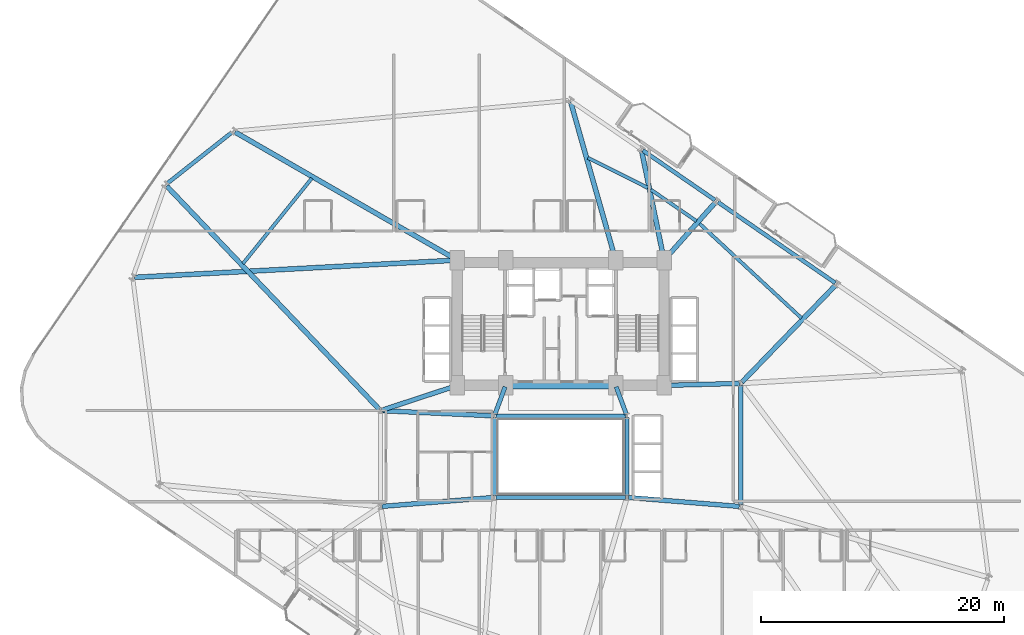
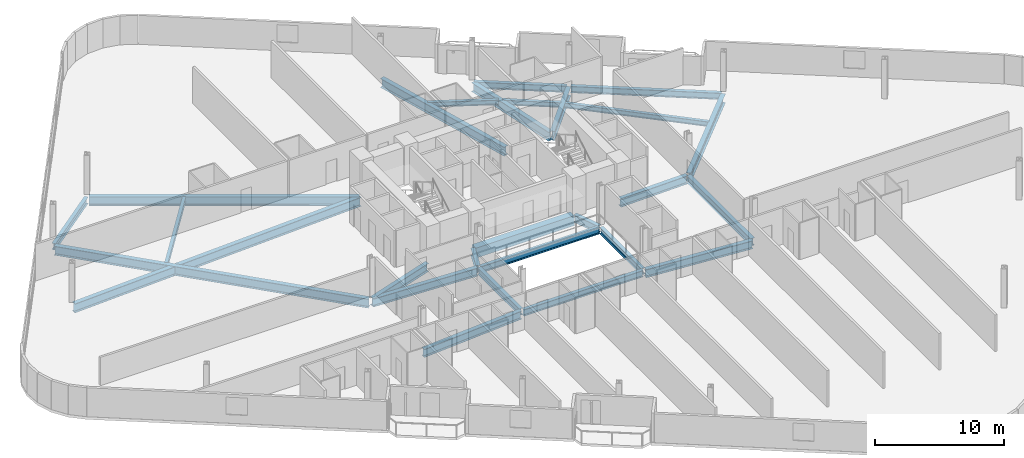
# One storey, part 5 of 25: 27 beams.
"""IFC4 building model written with IfcOpenShell, lengths in metres."""

from ifc_helpers import new_model, si_unit, direction, frame, origin, origin_2d, place, context, subcontext, project, spatial, rectangle, i_section, extrude, material, material_profile, profile_set, type_object, element, save


model = new_model("IFC4")

# Units and contexts
model_context = context("Model", 3, precision=1e-05, world=origin(), true_north=direction((0.0, 1.0)))
body_context = subcontext(model_context, "Body", "Model", "MODEL_VIEW")
ifc_project = project(units=[si_unit("LENGTHUNIT", "METRE"), si_unit("AREAUNIT", "SQUARE_METRE"), si_unit("VOLUMEUNIT", "CUBIC_METRE"), si_unit("PLANEANGLEUNIT", "RADIAN"), si_unit("MASSUNIT", "GRAM", prefix="KILO")], contexts=[model_context])

# Site, building, storey
site_placement = place(None, origin())
site = spatial("IfcSite", under=ifc_project, at=site_placement, CompositionType="ELEMENT")
building_placement = place(site_placement, origin())
building = spatial("IfcBuilding", under=site, at=building_placement, Name="Varnelok Gate Tower", CompositionType="ELEMENT")
storey_placement = place(building_placement, frame((0.0, 0.0, 34.39990234375)))
storey = spatial("IfcBuildingStorey", under=building, at=storey_placement, Name="L07", CompositionType="ELEMENT", Elevation=34.39990234375)

# Beams
ifc_material_1 = material(Name="Structural Steel ASTM A992 Grade 50", Category="steel")
ifc_material_profile_1 = material_profile(ifc_material_1, i_section(OverallWidth=0.280029296875, OverallDepth=0.462890625, WebThickness=0.0107421875, FlangeThickness=0.017333984375, FilletRadius=0.014892578125, at=origin_2d()), Name="W18X76")
ifc_profile_set_1 = profile_set([ifc_material_profile_1], Name="Structural Steel ASTM A992 Grade 50")
beam_type_1 = type_object("IfcBeamType", Name="BM-JST-W18X76", PredefinedType="JOIST", material=ifc_profile_set_1)
beam_1_placement = place(storey_placement, frame((58.9873046875, 34.28369140625, -0.4814453125), z_axis=(-0.733173365893, 0.680041774853, 0.0), x_axis=(-0.680041774853, -0.733173365893, 0.0)))
element("IfcBeam", 1, at=beam_1_placement, inside=storey, type_object=beam_type_1, Name="L07 Sector Floor Joist 7", PredefinedType="JOIST", context=body_context, shape_type="SweptSolid", body=[
    extrude(i_section(OverallWidth=0.280029296875, OverallDepth=0.462890625, WebThickness=0.0107421875, FlangeThickness=0.017333984375, FilletRadius=0.014892578125, at=origin_2d()), origin(), (0.0, 0.0, 1.0), 11.464599609375),
])
beam_2_placement = place(storey_placement, frame((50.364013671875, 42.254638671875, -0.4814453125), z_axis=(-0.823532069356, 0.567269716045, 0.0), x_axis=(-0.567269716045, -0.823532069356, 0.0)))
element("IfcBeam", 2, at=beam_2_placement, inside=storey, type_object=beam_type_1, Name="L07 Sector Floor Joist 8", PredefinedType="JOIST", context=body_context, shape_type="SweptSolid", body=[
    extrude(i_section(OverallWidth=0.280029296875, OverallDepth=0.462890625, WebThickness=0.0107421875, FlangeThickness=0.017333984375, FilletRadius=0.014892578125, at=origin_2d()), origin(), (0.0, 0.0, 1.0), 4.5576171875),
])
beam_3_placement = place(storey_placement, frame((46.3701171875, 44.982177734375, -0.4814453125), z_axis=(-0.894028684309, 0.448009722698, 0.0), x_axis=(-0.448009722698, -0.894028684309, 0.0)))
element("IfcBeam", 3, at=beam_3_placement, inside=storey, type_object=beam_type_1, Name="L07 Sector Floor Joist 9", PredefinedType="JOIST", context=body_context, shape_type="SweptSolid", body=[
    extrude(i_section(OverallWidth=0.280029296875, OverallDepth=0.462890625, WebThickness=0.0107421875, FlangeThickness=0.017333984375, FilletRadius=0.014892578125, at=origin_2d()), origin(), (0.0, 0.0, 1.0), 5.5185546875),
])
beam_4_placement = place(storey_placement, frame((18.75390625, 45.7763671875, -0.4814453125), z_axis=(-0.627991079372, -0.778220537013, 0.0), x_axis=(0.778220537013, -0.627991079372, 0.0)))
element("IfcBeam", 4, at=beam_4_placement, inside=storey, type_object=beam_type_1, Name="L07 Sector Floor Joist 10", PredefinedType="JOIST", context=body_context, shape_type="SweptSolid", body=[
    extrude(i_section(OverallWidth=0.280029296875, OverallDepth=0.462890625, WebThickness=0.0107421875, FlangeThickness=0.017333984375, FilletRadius=0.014892578125, at=origin_2d()), origin(), (0.0, 0.0, 1.0), 9.017822265625),
])
ifc_material_2 = material(Name="Concrete C60/75", Category="concrete")
ifc_material_profile_2 = material_profile(ifc_material_2, rectangle(XDim=0.60009765625, YDim=0.949951171875, at=origin_2d()), Name="RC950X600")
ifc_profile_set_2 = profile_set([ifc_material_profile_2], Name="Concrete C60/75")
beam_type_2 = type_object("IfcBeamType", Name="BM-LNT-RC950", PredefinedType="LINTEL", material=ifc_profile_set_2)
beam_5_placement = place(storey_placement, frame((34.800048828125, 28.75, -0.724853515625), z_axis=(1.0, 0.0, 0.0), x_axis=(0.0, 1.0, 0.0)))
element("IfcBeam", 5, at=beam_5_placement, inside=storey, type_object=beam_type_2, Name="L07 Core-Atrium Spine Beam 7", PredefinedType="LINTEL", context=body_context, shape_type="SweptSolid", body=[
    extrude(rectangle(XDim=0.60009765625, YDim=0.949951171875, at=origin_2d()), origin(), (0.0, 0.0, 1.0), 8.800048828125),
])
ifc_material_profile_3 = material_profile(ifc_material_1, i_section(OverallWidth=0.35498046875, OverallDepth=0.696044921875, WebThickness=0.015380859375, FlangeThickness=0.02490234375, FilletRadius=0.02001953125, at=origin_2d()), Name="W27X146")
ifc_profile_set_3 = profile_set([ifc_material_profile_3], Name="Structural Steel ASTM A992 Grade 50")
beam_type_3 = type_object("IfcBeamType", Name="BM-PRI-W27X146", PredefinedType="BEAM", material=ifc_profile_set_3)
for number, where, z_axis, x_axis, name in (
    (6, (33.791748046875, 26.362548828125, -0.597900390625), (0.348719329408, 0.937227202602, 0.0), (-0.937227202602, 0.348719329408, 0.0), "L07 Core-Atrium Spine Beam 12"),
    (7, (44.608154296875, 26.362548828125, -0.597900390625), (-0.348719329408, 0.937227202602, 0.0), (-0.937227202602, -0.348719329408, 0.0), "L07 Core-Atrium Spine Beam 13"),
):
    element("IfcBeam", number, at=place(storey_placement, frame(where, z_axis=z_axis, x_axis=x_axis)), inside=storey, type_object=beam_type_3, Name=name, PredefinedType="BEAM", context=body_context, shape_type="SweptSolid", body=[
        extrude(i_section(OverallWidth=0.35498046875, OverallDepth=0.696044921875, WebThickness=0.015380859375, FlangeThickness=0.02490234375, FilletRadius=0.02001953125, at=origin_2d()), origin(), (0.0, 0.0, 1.0), 2.42724609375),
    ])
beam_6_placement = place(storey_placement, frame((54.0, 18.919921875, -0.597900390625), z_axis=(0.0, 1.0, 0.0), x_axis=(-1.0, 0.0, 0.0)))
element("IfcBeam", 8, at=beam_6_placement, inside=storey, type_object=beam_type_3, Name="L07 Core-Atrium Spine Beam 20", PredefinedType="BEAM", context=body_context, shape_type="SweptSolid", body=[
    extrude(i_section(OverallWidth=0.35498046875, OverallDepth=0.696044921875, WebThickness=0.015380859375, FlangeThickness=0.02490234375, FilletRadius=0.02001953125, at=origin_2d()), origin(), (0.0, 0.0, 1.0), 9.880126953125),
])
ifc_material_profile_4 = material_profile(ifc_material_1, i_section(OverallWidth=0.381103515625, OverallDepth=0.77294921875, WebThickness=0.0166015625, FlangeThickness=0.027099609375, FilletRadius=0.02197265625, at=origin_2d()), Name="W30X173")
ifc_profile_set_4 = profile_set([ifc_material_profile_4], Name="Structural Steel ASTM A992 Grade 50")
beam_type_4 = type_object("IfcBeamType", Name="BM-PRI-W30X173", PredefinedType="BEAM", material=ifc_profile_set_4)
beam_7_placement = place(storey_placement, frame((24.51953125, 18.8095703125, -0.636474609375), z_axis=(0.996799206292, 0.07994587128, 0.0), x_axis=(-0.07994587128, 0.996799206292, 0.0)))
element("IfcBeam", 9, at=beam_7_placement, inside=storey, type_object=beam_type_4, Name="L07 Core-Atrium Spine Beam 14", PredefinedType="BEAM", context=body_context, shape_type="SweptSolid", body=[
    extrude(i_section(OverallWidth=0.381103515625, OverallDepth=0.77294921875, WebThickness=0.0166015625, FlangeThickness=0.027099609375, FilletRadius=0.02197265625, at=origin_2d()), origin(), (0.0, 0.0, 1.0), 9.14013671875),
])
beam_8_placement = place(storey_placement, frame((24.52001953125, 26.674560546875, -0.636474609375), z_axis=(0.99894427814, -0.045938319209, 0.0), x_axis=(0.045938319209, 0.99894427814, 0.0)))
element("IfcBeam", 10, at=beam_8_placement, inside=storey, type_object=beam_type_4, Name="L07 Core-Atrium Spine Beam 15", PredefinedType="BEAM", context=body_context, shape_type="SweptSolid", body=[
    extrude(i_section(OverallWidth=0.381103515625, OverallDepth=0.77294921875, WebThickness=0.0166015625, FlangeThickness=0.027099609375, FilletRadius=0.02197265625, at=origin_2d()), origin(), (0.0, 0.0, 1.0), 9.11962890625),
])
beam_9_placement = place(storey_placement, frame((24.513916015625, 26.717529296875, -0.636474609375), z_axis=(0.950041943788, 0.312122259768, 0.0), x_axis=(-0.312122259768, 0.950041943788, 0.0)))
element("IfcBeam", 11, at=beam_9_placement, inside=storey, type_object=beam_type_4, Name="L07 Core-Atrium Spine Beam 17", PredefinedType="BEAM", context=body_context, shape_type="SweptSolid", body=[
    extrude(i_section(OverallWidth=0.381103515625, OverallDepth=0.77294921875, WebThickness=0.0166015625, FlangeThickness=0.027099609375, FilletRadius=0.02197265625, at=origin_2d()), origin(), (0.0, 0.0, 1.0), 6.391357421875),
])
beam_10_placement = place(storey_placement, frame((44.76953125, 19.540283203125, -0.636474609375), z_axis=(0.996799206292, -0.07994587128, 0.0), x_axis=(0.07994587128, 0.996799206292, 0.0)))
element("IfcBeam", 12, at=beam_10_placement, inside=storey, type_object=beam_type_4, Name="L07 Core-Atrium Spine Beam 18", PredefinedType="BEAM", context=body_context, shape_type="SweptSolid", body=[
    extrude(i_section(OverallWidth=0.381103515625, OverallDepth=0.77294921875, WebThickness=0.0166015625, FlangeThickness=0.027099609375, FilletRadius=0.02197265625, at=origin_2d()), origin(), (0.0, 0.0, 1.0), 9.14013671875),
])
beam_11_placement = place(storey_placement, frame((47.820068359375, 28.753173828125, -0.636474609375), z_axis=(0.999635880609, 0.026983443053, 0.0), x_axis=(-0.026983443053, 0.999635880609, 0.0)))
element("IfcBeam", 13, at=beam_11_placement, inside=storey, type_object=beam_type_4, Name="L07 Core-Atrium Spine Beam 19", PredefinedType="BEAM", context=body_context, shape_type="SweptSolid", body=[
    extrude(i_section(OverallWidth=0.381103515625, OverallDepth=0.77294921875, WebThickness=0.0166015625, FlangeThickness=0.027099609375, FilletRadius=0.02197265625, at=origin_2d()), origin(), (0.0, 0.0, 1.0), 6.06201171875),
])
ifc_material_profile_5 = material_profile(ifc_material_1, i_section(OverallWidth=0.39892578125, OverallDepth=0.85498046875, WebThickness=0.018310546875, FlangeThickness=0.029296875, FilletRadius=0.02392578125, at=origin_2d()), Name="W33X201")
ifc_profile_set_5 = profile_set([ifc_material_profile_5], Name="Structural Steel ASTM A992 Grade 50")
beam_type_5 = type_object("IfcBeamType", Name="BM-PRI-W33X201", PredefinedType="BEAM", material=ifc_profile_set_5)
beam_12_placement = place(storey_placement, frame((54.104248046875, 29.02783203125, -0.677490234375), z_axis=(0.694813956558, 0.719189520066, 0.0), x_axis=(-0.719189520066, 0.694813956558, 0.0)))
element("IfcBeam", 14, at=beam_12_placement, inside=storey, type_object=beam_type_5, Name="L07 Radial Floor Girder 10", PredefinedType="BEAM", context=body_context, shape_type="SweptSolid", body=[
    extrude(i_section(OverallWidth=0.39892578125, OverallDepth=0.85498046875, WebThickness=0.018310546875, FlangeThickness=0.029296875, FilletRadius=0.02392578125, at=origin_2d()), origin(), (0.0, 0.0, 1.0), 11.057373046875),
])
beam_13_placement = place(storey_placement, frame((47.7998046875, 39.162109375, -0.677490234375), z_axis=(0.664520653518, 0.747269898395, 0.0), x_axis=(-0.747269898395, 0.664520653518, 0.0)))
element("IfcBeam", 15, at=beam_13_placement, inside=storey, type_object=beam_type_5, Name="L07 Radial Floor Girder 11", PredefinedType="BEAM", context=body_context, shape_type="SweptSolid", body=[
    extrude(i_section(OverallWidth=0.39892578125, OverallDepth=0.85498046875, WebThickness=0.018310546875, FlangeThickness=0.029296875, FilletRadius=0.02392578125, at=origin_2d()), origin(), (0.0, 0.0, 1.0), 6.18408203125),
])
beam_14_placement = place(storey_placement, frame((47.669921875, 39.197021484375, -0.677490234375), z_axis=(-0.201054404261, 0.979580076628, 0.0), x_axis=(-0.979580076628, -0.201054404261, 0.0)))
element("IfcBeam", 16, at=beam_14_placement, inside=storey, type_object=beam_type_5, Name="L07 Radial Floor Girder 12", PredefinedType="BEAM", context=body_context, shape_type="SweptSolid", body=[
    extrude(i_section(OverallWidth=0.39892578125, OverallDepth=0.85498046875, WebThickness=0.018310546875, FlangeThickness=0.029296875, FilletRadius=0.02392578125, at=origin_2d()), origin(), (0.0, 0.0, 1.0), 8.989501953125),
])
beam_15_placement = place(storey_placement, frame((43.678955078125, 39.1943359375, -0.677490234375), z_axis=(-0.273636323057, 0.961833230193, 0.0), x_axis=(-0.961833230193, -0.273636323057, 0.0)))
element("IfcBeam", 17, at=beam_15_placement, inside=storey, type_object=beam_type_5, Name="L07 Radial Floor Girder 13", PredefinedType="BEAM", context=body_context, shape_type="SweptSolid", body=[
    extrude(i_section(OverallWidth=0.39892578125, OverallDepth=0.85498046875, WebThickness=0.018310546875, FlangeThickness=0.029296875, FilletRadius=0.02392578125, at=origin_2d()), origin(), (0.0, 0.0, 1.0), 13.348388671875),
])
beam_16_placement = place(storey_placement, frame((30.570068359375, 39.125, -0.677490234375), z_axis=(-0.866373398512, 0.499396770465, 0.0), x_axis=(-0.499396770465, -0.866373398512, 0.0)))
element("IfcBeam", 18, at=beam_16_placement, inside=storey, type_object=beam_type_5, Name="L07 Radial Floor Girder 14", PredefinedType="BEAM", context=body_context, shape_type="SweptSolid", body=[
    extrude(i_section(OverallWidth=0.39892578125, OverallDepth=0.85498046875, WebThickness=0.018310546875, FlangeThickness=0.029296875, FilletRadius=0.02392578125, at=origin_2d()), origin(), (0.0, 0.0, 1.0), 20.920166015625),
])
beam_17_placement = place(storey_placement, frame((24.296630859375, 26.78857421875, -0.677490234375), z_axis=(-0.68957548794, 0.72421381265, 0.0), x_axis=(-0.72421381265, -0.68957548794, 0.0)))
element("IfcBeam", 19, at=beam_17_placement, inside=storey, type_object=beam_type_5, Name="L07 Radial Floor Girder 15", PredefinedType="BEAM", context=body_context, shape_type="SweptSolid", body=[
    extrude(i_section(OverallWidth=0.39892578125, OverallDepth=0.85498046875, WebThickness=0.018310546875, FlangeThickness=0.029296875, FilletRadius=0.02392578125, at=origin_2d()), origin(), (0.0, 0.0, 1.0), 25.324462890625),
])
beam_18_placement = place(storey_placement, frame((30.55029296875, 39.0419921875, -0.677490234375), z_axis=(-0.998572952572, -0.053404666383, 0.0), x_axis=(0.053404666383, -0.998572952572, 0.0)))
element("IfcBeam", 20, at=beam_18_placement, inside=storey, type_object=beam_type_5, Name="L07 Radial Floor Girder 16", PredefinedType="BEAM", context=body_context, shape_type="SweptSolid", body=[
    extrude(i_section(OverallWidth=0.39892578125, OverallDepth=0.85498046875, WebThickness=0.018310546875, FlangeThickness=0.029296875, FilletRadius=0.02392578125, at=origin_2d()), origin(), (0.0, 0.0, 1.0), 26.405029296875),
])
ifc_material_profile_6 = material_profile(ifc_material_1, i_section(OverallWidth=0.323974609375, OverallDepth=0.611083984375, WebThickness=0.0126953125, FlangeThickness=0.01904296875, FilletRadius=0.01806640625, at=origin_2d()), Name="W24X104")
ifc_profile_set_6 = profile_set([ifc_material_profile_6], Name="Structural Steel ASTM A992 Grade 50")
beam_type_6 = type_object("IfcBeamType", Name="BM-SPN-W24X104", PredefinedType="SPANDREL", material=ifc_profile_set_6)
for number, where, z_axis, x_axis, name in (
    (21, (33.8701171875, 19.550048828125, -0.555419921875), (1.0, 0.0, 0.0), (0.0, 1.0, 0.0), "L07 Core-Atrium Spine Beam 8"),
    (22, (33.8701171875, 26.25, -0.555419921875), (1.0, 0.0, 0.0), (0.0, 1.0, 0.0), "L07 Core-Atrium Spine Beam 9"),
):
    element("IfcBeam", number, at=place(storey_placement, frame(where, z_axis=z_axis, x_axis=x_axis)), inside=storey, type_object=beam_type_6, Name=name, PredefinedType="SPANDREL", context=body_context, shape_type="SweptSolid", body=[
        extrude(i_section(OverallWidth=0.323974609375, OverallDepth=0.611083984375, WebThickness=0.0126953125, FlangeThickness=0.01904296875, FilletRadius=0.01806640625, at=origin_2d()), origin(), (0.0, 0.0, 1.0), 10.659912109375),
    ])
for number, where, z_axis, x_axis, name in (
    (23, (33.75, 19.669921875, -0.555419921875), (0.0, 1.0, 0.0), (-1.0, 0.0, 0.0), "L07 Core-Atrium Spine Beam 10"),
    (24, (44.64990234375, 19.669921875, -0.555419921875), (0.0, 1.0, 0.0), (-1.0, 0.0, 0.0), "L07 Core-Atrium Spine Beam 11"),
):
    element("IfcBeam", number, at=place(storey_placement, frame(where, z_axis=z_axis, x_axis=x_axis)), inside=storey, type_object=beam_type_6, Name=name, PredefinedType="SPANDREL", context=body_context, shape_type="SweptSolid", body=[
        extrude(i_section(OverallWidth=0.323974609375, OverallDepth=0.611083984375, WebThickness=0.0126953125, FlangeThickness=0.01904296875, FilletRadius=0.01806640625, at=origin_2d()), origin(), (0.0, 0.0, 1.0), 6.4599609375),
    ])
beam_19_placement = place(storey_placement, frame((61.767822265625, 37.173095703125, -0.555419921875), z_axis=(-0.82353077968, 0.567271588324, 0.0), x_axis=(-0.567271588324, -0.82353077968, 0.0)))
element("IfcBeam", 25, at=beam_19_placement, inside=storey, type_object=beam_type_6, Name="L07 Perimeter Spandrel Beam 10", PredefinedType="SPANDREL", context=body_context, shape_type="SweptSolid", body=[
    extrude(i_section(OverallWidth=0.323974609375, OverallDepth=0.611083984375, WebThickness=0.0126953125, FlangeThickness=0.01904296875, FilletRadius=0.01806640625, at=origin_2d()), origin(), (0.0, 0.0, 1.0), 11.7001953125),
])
beam_20_placement = place(storey_placement, frame((51.885498046875, 43.98046875, -0.555419921875), z_axis=(-0.823550897395, 0.567242381527, 0.0), x_axis=(-0.567242381527, -0.823550897395, 0.0)))
element("IfcBeam", 26, at=beam_20_placement, inside=storey, type_object=beam_type_6, Name="L07 Perimeter Spandrel Beam 11", PredefinedType="SPANDREL", context=body_context, shape_type="SweptSolid", body=[
    extrude(i_section(OverallWidth=0.323974609375, OverallDepth=0.611083984375, WebThickness=0.0126953125, FlangeThickness=0.01904296875, FilletRadius=0.01806640625, at=origin_2d()), origin(), (0.0, 0.0, 1.0), 7.2001953125),
])
beam_21_placement = place(storey_placement, frame((12.197509765625, 49.554443359375, -0.555419921875), z_axis=(-0.784860761341, -0.619672159538, 0.0), x_axis=(0.619672159538, -0.784860761341, 0.0)))
element("IfcBeam", 27, at=beam_21_placement, inside=storey, type_object=beam_type_6, Name="L07 Perimeter Spandrel Beam 14", PredefinedType="SPANDREL", context=body_context, shape_type="SweptSolid", body=[
    extrude(i_section(OverallWidth=0.323974609375, OverallDepth=0.611083984375, WebThickness=0.0126953125, FlangeThickness=0.01904296875, FilletRadius=0.01806640625, at=origin_2d()), origin(), (0.0, 0.0, 1.0), 6.81640625),
])

save(model, "model.ifc")
